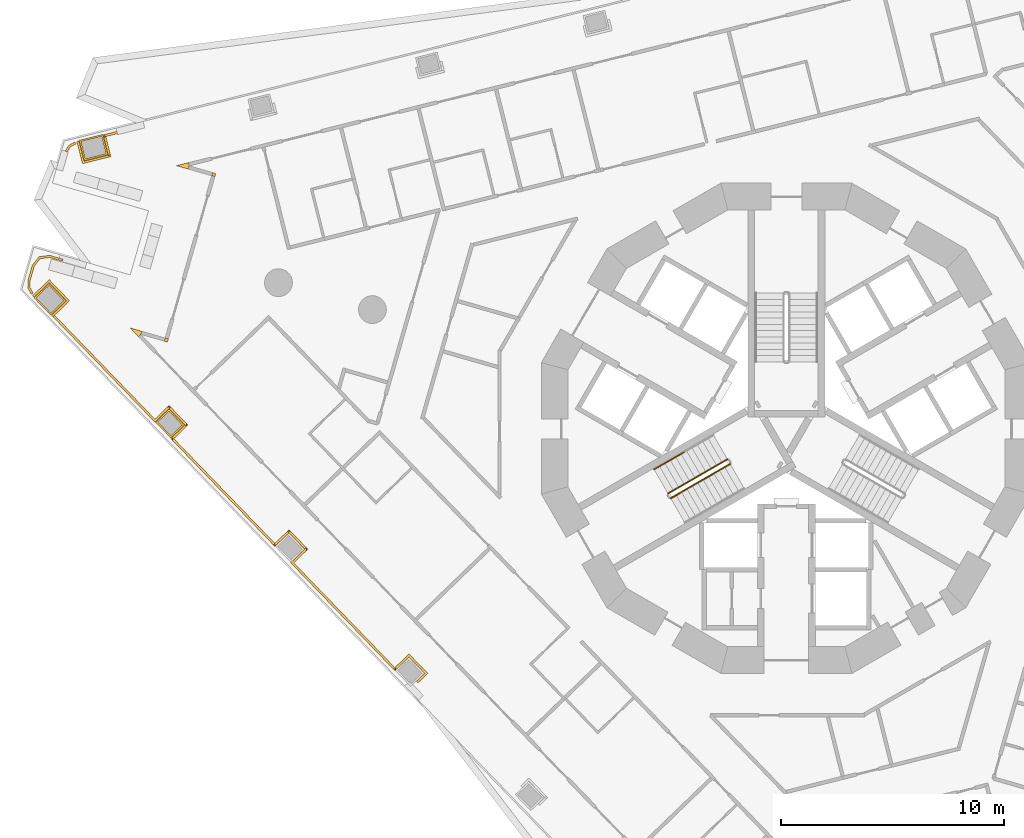
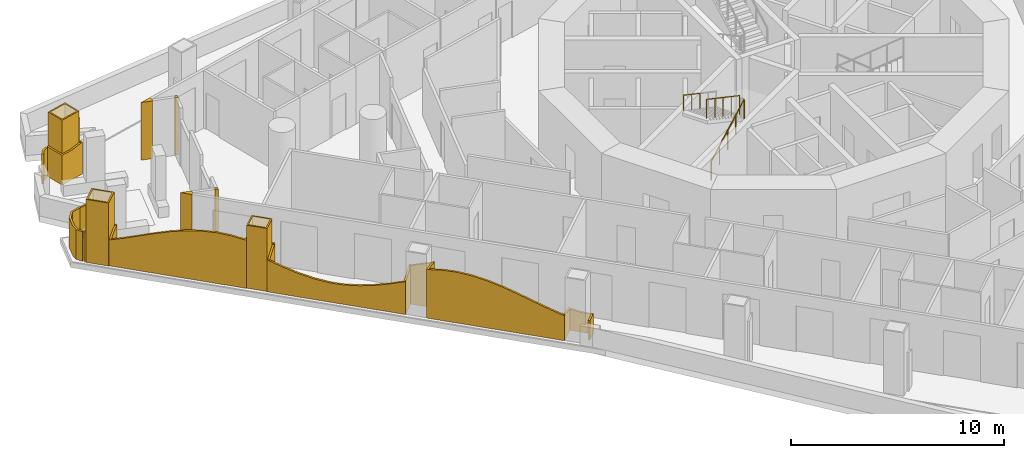
# One storey, part 15 of 19: 7 coverings, 7 railings.
"""IFC4 building model written with IfcOpenShell, lengths in metres."""

from ifc_helpers import new_model, si_unit, direction, frame, origin, origin_2d, place, context, subcontext, project, spatial, polyline, circle, outline, extrude, material, layer, layer_set, type_object, element, save


model = new_model("IFC4")

# Units and contexts
model_context = context("Model", 3, precision=1e-05, world=origin(), true_north=direction((0.0, 1.0)))
body_context = subcontext(model_context, "Body", "Model", "MODEL_VIEW")
ifc_project = project(units=[si_unit("LENGTHUNIT", "METRE"), si_unit("AREAUNIT", "SQUARE_METRE"), si_unit("VOLUMEUNIT", "CUBIC_METRE"), si_unit("PLANEANGLEUNIT", "RADIAN"), si_unit("MASSUNIT", "GRAM", prefix="KILO")], contexts=[model_context])

# Site, building, storey
site_placement = place(None, origin())
site = spatial("IfcSite", under=ifc_project, at=site_placement, CompositionType="ELEMENT")
building_placement = place(site_placement, origin())
building = spatial("IfcBuilding", under=site, at=building_placement, Name="Trine Commons Tower", CompositionType="ELEMENT")
storey_placement = place(building_placement, frame((0.0, 0.0, 87.300048828125)))
storey = spatial("IfcBuildingStorey", under=building, at=storey_placement, Name="L21", CompositionType="ELEMENT", Elevation=87.300048828125)

# Coverings
ifc_material_1 = material(Name="Aluminium-framed insulated wall panel", Category="aluminium")
ifc_layer_1 = layer(ifc_material_1, 0.14990234375)
ifc_layer_set_1 = layer_set([ifc_layer_1], Name="Aluminium-framed insulated wall panel")
covering_type_1 = type_object("IfcCoveringType", Name="Glazing corner post, aluminium", PredefinedType="CLADDING", material=ifc_layer_set_1)
covering_1_placement = place(storey_placement, origin())
element("IfcCovering", 1, at=covering_1_placement, inside=storey, type_object=covering_type_1, Name="Glazing corner post 3-01", PredefinedType="CLADDING", context=body_context, shape_type="SweptSolid", body=[
    extrude(outline(polyline([(50.897216796875, 66.611083984375), (51.005126953125, 66.71533203125), (51.04638671875, 66.859619140625), (50.50830078125, 67.013916015625), (50.897216796875, 66.611083984375)])), origin(), (0.0, 0.0, 1.0), 3.300048828125),
])
covering_2_placement = place(storey_placement, origin())
element("IfcCovering", 2, at=covering_2_placement, inside=storey, type_object=covering_type_1, Name="Glazing corner post 3-02", PredefinedType="CLADDING", context=body_context, shape_type="SweptSolid", body=[
    extrude(outline(polyline([(52.048828125, 66.416015625), (52.193115234375, 66.374755859375), (52.234375, 66.518798828125), (52.090087890625, 66.560302734375), (52.048828125, 66.416015625)])), origin(), (0.0, 0.0, 1.0), 3.300048828125),
])
covering_3_placement = place(storey_placement, origin())
element("IfcCovering", 3, at=covering_3_placement, inside=storey, type_object=covering_type_1, Name="Glazing corner post 3-03", PredefinedType="CLADDING", context=body_context, shape_type="SweptSolid", body=[
    extrude(outline(polyline([(54.32373046875, 73.805419921875), (54.364990234375, 73.949462890625), (54.220703125, 73.99072265625), (54.179443359375, 73.8466796875), (54.32373046875, 73.805419921875)])), origin(), (0.0, 0.0, 1.0), 3.300048828125),
])
covering_4_placement = place(storey_placement, origin())
element("IfcCovering", 4, at=covering_4_placement, inside=storey, type_object=covering_type_1, Name="Glazing corner post 3-04", PredefinedType="CLADDING", context=body_context, shape_type="SweptSolid", body=[
    extrude(outline(polyline([(53.1357421875, 74.14599609375), (53.17724609375, 74.2900390625), (53.140869140625, 74.435546875), (52.59765625, 74.30029296875), (53.1357421875, 74.14599609375)])), origin(), (0.0, 0.0, 1.0), 3.300048828125),
])
ifc_material_2 = material(Name="Limestone, honed", Category="masonry")
ifc_layer_2 = layer(ifc_material_2, 0.074951171875)
ifc_layer_set_2 = layer_set([ifc_layer_2], Name="Limestone, honed")
covering_type_2 = type_object("IfcCoveringType", Name="Limestone column cladding 75", PredefinedType="CLADDING", material=ifc_layer_set_2)
covering_5_placement = place(storey_placement, origin())
element("IfcCovering", 5, at=covering_5_placement, inside=storey, type_object=covering_type_2, Name="Limestone pier cladding 3-07", PredefinedType="CLADDING", context=body_context, shape_type="SweptSolid", body=[
    extrude(outline(polyline([(52.265380859375, 63.373291015625), (51.654052734375, 62.78271484375), (52.3486328125, 62.0634765625), (52.960205078125, 62.65380859375), (52.265380859375, 63.373291015625)]), holes=[polyline([(52.263671875, 63.26708984375), (51.760009765625, 62.781005859375), (52.3505859375, 62.16943359375), (52.85400390625, 62.65576171875), (52.263671875, 63.26708984375)])]), origin(), (0.0, 0.0, 1.0), 3.599853515625),
])
covering_6_placement = place(storey_placement, origin())
element("IfcCovering", 6, at=covering_6_placement, inside=storey, type_object=covering_type_2, Name="Limestone pier cladding 3-08", PredefinedType="CLADDING", context=body_context, shape_type="SweptSolid", body=[
    extrude(outline(polyline([(46.877685546875, 69.0244140625), (46.194580078125, 68.364501953125), (46.95849609375, 67.572998046875), (47.641845703125, 68.23291015625), (46.877685546875, 69.0244140625)]), holes=[polyline([(46.8759765625, 68.918212890625), (46.300537109375, 68.362548828125), (46.96044921875, 67.67919921875), (47.535888671875, 68.23486328125), (46.8759765625, 68.918212890625)])]), origin(), (0.0, 0.0, 1.0), 3.599853515625),
])
covering_7_placement = place(storey_placement, origin())
element("IfcCovering", 7, at=covering_7_placement, inside=storey, type_object=covering_type_2, Name="Limestone pier cladding 3-09", PredefinedType="CLADDING", context=body_context, shape_type="SweptSolid", body=[
    extrude(outline(polyline([(49.520751953125, 74.785400390625), (49.291015625, 75.70703125), (48.2236328125, 75.44091796875), (48.45361328125, 74.519287109375), (49.520751953125, 74.785400390625)]), holes=[polyline([(49.429931640625, 74.83984375), (49.236328125, 75.6162109375), (48.314453125, 75.38623046875), (48.508056640625, 74.610107421875), (49.429931640625, 74.83984375)])]), origin(), (0.0, 0.0, 1.0), 3.599853515625),
])

# Railings
ifc_material_3 = material(Name="Stainless steel balustrade", Category="steel")
railing_type_1 = type_object("IfcRailingType", Name="Stair guard, steel balustrade 1100", PredefinedType="GUARDRAIL", material=ifc_material_3)
railing_1_placement = place(storey_placement, frame((74.80517578125, 59.3564453125, 0.14990234375)))
element("IfcRailing", 8, at=railing_1_placement, inside=storey, type_object=railing_type_1, Name="L21 ST2A stair guard 1", PredefinedType="GUARDRAIL", context=body_context, shape_type="SweptSolid", body=[
    extrude(circle(Radius=0.02392578125, at=origin_2d()), frame((0.0, 0.0, 1.076171875), z_axis=(0.763379768245, 0.440728498818, 0.472239049384), x_axis=(-0.499992328818, 0.866029832698, 0.0)), (0.0, 0.0, 1.0), 3.494384765625),
    extrude(circle(Radius=0.02099609375, at=origin_2d()), origin(), (0.0, 0.0, 1.0), 1.052001953125),
    extrude(circle(Radius=0.02099609375, at=origin_2d()), frame((0.6669921875, 0.385009765625, 0.41259765625)), (0.0, 0.0, 1.0), 1.052001953125),
    extrude(circle(Radius=0.02099609375, at=origin_2d()), frame((1.333740234375, 0.77001953125, 0.8251953125)), (0.0, 0.0, 1.0), 1.052001953125),
    extrude(circle(Radius=0.02099609375, at=origin_2d()), frame((2.00048828125, 1.155029296875, 1.237548828125)), (0.0, 0.0, 1.0), 1.052001953125),
    extrude(circle(Radius=0.02099609375, at=origin_2d()), frame((2.66748046875, 1.5400390625, 1.650146484375)), (0.0, 0.0, 1.0), 1.052001953125),
])
railing_2_placement = place(storey_placement, frame((77.34765625, 61.113037109375, 1.949951171875)))
element("IfcRailing", 9, at=railing_2_placement, inside=storey, type_object=railing_type_1, Name="L21 ST2A stair guard 3", PredefinedType="GUARDRAIL", context=body_context, shape_type="SweptSolid", body=[
    extrude(circle(Radius=0.02392578125, at=origin_2d()), frame((0.0, 0.0, 1.076171875), z_axis=(-0.76340495495, -0.440743040072, 0.472184759798), x_axis=(0.499992328818, -0.866029832698, 0.0)), (0.0, 0.0, 1.0), 3.494140625),
    extrude(circle(Radius=0.02099609375, at=origin_2d()), origin(), (0.0, 0.0, 1.0), 1.052001953125),
    extrude(circle(Radius=0.02099609375, at=origin_2d()), frame((-0.6669921875, -0.385009765625, 0.41259765625)), (0.0, 0.0, 1.0), 1.052001953125),
    extrude(circle(Radius=0.02099609375, at=origin_2d()), frame((-1.333740234375, -0.77001953125, 0.824951171875)), (0.0, 0.0, 1.0), 1.052001953125),
    extrude(circle(Radius=0.02099609375, at=origin_2d()), frame((-2.00048828125, -1.155029296875, 1.2373046875)), (0.0, 0.0, 1.0), 1.052001953125),
    extrude(circle(Radius=0.02099609375, at=origin_2d()), frame((-2.66748046875, -1.5400390625, 1.64990234375)), (0.0, 0.0, 1.0), 1.052001953125),
])
ifc_material_4 = material(Name="Stainless steel handrail", Category="steel")
railing_type_2 = type_object("IfcRailingType", Name="Stair handrail, steel 900", PredefinedType="HANDRAIL", material=ifc_material_4)
railing_3_placement = place(storey_placement, frame((75.388916015625, 61.425537109375, 2.77490234375)))
element("IfcRailing", 10, at=railing_3_placement, inside=storey, type_object=railing_type_2, Name="L21 ST2A stair handrail 4", PredefinedType="HANDRAIL", context=body_context, shape_type="SweptSolid", body=[
    extrude(circle(Radius=0.02099609375, at=origin_2d()), frame((0.0, 0.0, 0.87890625), z_axis=(-0.76340495495, -0.440743040072, 0.472184759798), x_axis=(0.499992328818, -0.866029832698, 0.0)), (0.0, 0.0, 1.0), 1.7470703125),
    extrude(circle(Radius=0.01513671875, at=origin_2d()), origin(), (0.0, 0.0, 1.0), 0.85791015625),
    extrude(circle(Radius=0.01513671875, at=origin_2d()), frame((-0.6669921875, -0.385009765625, 0.41259765625)), (0.0, 0.0, 1.0), 0.85791015625),
    extrude(circle(Radius=0.01513671875, at=origin_2d()), frame((-1.333740234375, -0.77001953125, 0.824951171875)), (0.0, 0.0, 1.0), 0.85791015625),
])
ifc_material_5 = material(Name="White powder-coated aluminium", Category="aluminium")
ifc_layer_3 = layer(ifc_material_5, 0.10009765625)
ifc_layer_set_3 = layer_set([ifc_layer_3], Name="White powder-coated aluminium")
railing_type_3 = type_object("IfcRailingType", Name="White balustrade band 100", PredefinedType="GUARDRAIL", material=ifc_layer_set_3)
railing_4_placement = place(storey_placement, origin())
element("IfcRailing", 11, at=railing_4_placement, inside=storey, type_object=railing_type_3, Name="Guard band L21 4", PredefinedType="GUARDRAIL", context=body_context, shape_type="SweptSolid", body=[
    extrude(outline(polyline([(0.0, 0.0), (0.60986328125, 0.0), (0.60986328125, 1.1025390625), (0.4296875, 1.099853515625), (0.1162109375, 1.107666015625), (0.0, 1.11767578125), (0.0, 0.0)])), frame((63.386474609375, 51.1396484375, 0.0), z_axis=(0.694587369162, -0.719408358723, 0.0), x_axis=(0.719408358723, 0.694587369162, 0.0)), (0.0, 0.0, 1.0), 0.10009765625),
    extrude(outline(polyline([(0.0, 0.0), (1.22216796875, 0.0), (1.22216796875, 1.229248046875), (0.611083984375, 1.136962890625), (0.0, 1.100341796875), (0.0, 0.0)])), frame((63.822265625, 51.42041015625, 0.0), z_axis=(0.719384249144, 0.694612339426, 0.0), x_axis=(-0.694612339426, 0.719384249144, 0.0)), (0.0, 0.0, 1.0), 0.10009765625),
    extrude(outline(polyline([(0.0, 0.0), (0.98681640625, 0.0), (0.98681640625, 1.44921875), (0.493408203125, 1.315185546875), (0.0, 1.210205078125), (0.0, 0.0)])), frame((63.1162109375, 52.296875, 0.0), z_axis=(-0.694629830443, 0.719367360017, 0.0), x_axis=(-0.719367360017, -0.694629830443, 0.0)), (0.0, 0.0, 1.0), 0.10009765625),
    extrude(outline(polyline([(0.0, 0.0), (6.73876953125, 0.0), (6.73876953125, 2.770751953125), (5.989990234375, 2.876220703125), (5.439453125, 2.89990234375), (5.2412109375, 2.89697265625), (4.49267578125, 2.83056640625), (3.743896484375, 2.68359375), (2.9951171875, 2.470458984375), (2.246337890625, 2.211669921875), (1.49755859375, 1.93212890625), (0.748779296875, 1.659423828125), (0.0, 1.419677734375), (0.0, 0.0)])), frame((62.4072265625, 51.611572265625, 0.0), z_axis=(0.719335285697, 0.694663045477, 0.0), x_axis=(-0.694663045477, 0.719335285697, 0.0)), (0.0, 0.0, 1.0), 0.10009765625),
    extrude(outline(polyline([(0.0, 0.0), (0.986328125, 0.0), (0.986572265625, 2.55078125), (0.4931640625, 2.6845703125), (0.0, 2.78955078125), (0.0, 0.0)])), frame((57.726318359375, 56.4580078125, 0.0), z_axis=(0.694749093662, -0.719252178903, 0.0), x_axis=(0.719252178903, 0.694749093662, 0.0)), (0.0, 0.0, 1.0), 0.10009765625),
    extrude(outline(polyline([(0.0, 0.0), (1.221435546875, 0.0), (1.2216796875, 2.170654296875), (0.61083984375, 2.38818359375), (0.0, 2.58056640625), (0.0, 0.0)])), frame((58.43310546875, 57.0009765625, 0.0), z_axis=(0.719391127949, 0.694605215233, 0.0), x_axis=(-0.694605215233, 0.719391127949, 0.0)), (0.0, 0.0, 1.0), 0.10009765625),
    extrude(outline(polyline([(0.0, 0.0), (0.98681640625, 0.0), (0.98681640625, 1.83984375), (0.493408203125, 2.024658203125), (0.0, 2.2080078125), (0.0, 0.0)])), frame((57.72705078125, 57.876953125, 0.0), z_axis=(-0.694629830443, 0.719367360017, 0.0), x_axis=(-0.719367360017, -0.694629830443, 0.0)), (0.0, 0.0, 1.0), 0.10009765625),
    extrude(outline(polyline([(0.0, 0.0), (6.73974609375, 0.0), (6.73974609375, 1.8291015625), (5.990966796875, 1.5654296875), (5.2421875, 1.34423828125), (4.4931640625, 1.186279296875), (3.744384765625, 1.107421875), (3.435546875, 1.099853515625), (2.99560546875, 1.115234375), (2.24658203125, 1.208740234375), (1.497802734375, 1.37890625), (0.748779296875, 1.609375), (0.0, 1.8779296875), (0.0, 0.0)])), frame((57.018798828125, 57.191650390625, 0.0), z_axis=(0.719333423183, 0.694664974136, 0.0), x_axis=(-0.694664974136, 0.719333423183, 0.0)), (0.0, 0.0, 1.0), 0.10009765625),
    extrude(outline(polyline([(0.0, 0.0), (0.986572265625, 0.0), (0.98681640625, 2.159912109375), (0.493408203125, 1.975341796875), (0.0, 1.791748046875), (0.0, 0.0)])), frame((52.33740234375, 62.03857421875, 0.0), z_axis=(0.694625426755, -0.719371612246, 0.0), x_axis=(0.719371612246, 0.694625426755, 0.0)), (0.0, 0.0, 1.0), 0.10009765625),
    extrude(outline(polyline([(0.0, 0.0), (1.220947265625, 0.0), (1.22119140625, 2.541748046875), (0.610595703125, 2.343017578125), (0.0, 2.1220703125), (0.0, 0.0)])), frame((53.044189453125, 62.58154296875, 0.0), z_axis=(0.719198163781, 0.694805009491, 0.0), x_axis=(-0.694805009491, 0.719198163781, 0.0)), (0.0, 0.0, 1.0), 0.10009765625),
    extrude(outline(polyline([(0.0, 0.0), (0.986328125, 0.0), (0.986328125, 2.764892578125), (0.4931640625, 2.651611328125), (0.0, 2.510986328125), (0.0, 0.0)])), frame((52.338134765625, 63.457275390625, 0.0), z_axis=(-0.694621019957, 0.719375867425, 0.0), x_axis=(-0.719375867425, -0.694621019957, 0.0)), (0.0, 0.0, 1.0), 0.10009765625),
    extrude(outline(polyline([(0.0, 0.0), (6.689453125, 0.0), (6.689208984375, 1.47314453125), (5.946044921875, 1.72119140625), (5.202880859375, 1.995849609375), (4.459716796875, 2.27099609375), (3.71630859375, 2.520263671875), (2.972900390625, 2.7197265625), (2.229736328125, 2.850341796875), (1.486572265625, 2.899658203125), (1.430908203125, 2.89990234375), (0.743408203125, 2.863037109375), (0.0, 2.744140625), (0.0, 0.0)])), frame((51.6298828125, 62.772216796875, 0.0), z_axis=(0.719317186814, 0.694681786687, 0.0), x_axis=(-0.694681786687, 0.719317186814, 0.0)), (0.0, 0.0, 1.0), 0.10009765625),
    extrude(outline(polyline([(0.0, 0.0), (1.036865234375, 0.0), (1.037109375, 1.699951171875), (0.5185546875, 1.6494140625), (0.0, 1.504638671875), (0.0, 0.0)])), frame((46.98291015625, 67.58251953125, 0.0), z_axis=(0.694636534855, -0.719360886096, 0.0), x_axis=(0.719360886096, 0.694636534855, 0.0)), (0.0, 0.0, 1.0), 0.10009765625),
    extrude(outline(polyline([(0.0, 0.0), (1.321533203125, 0.0), (1.321533203125, 1.699951171875), (0.660888671875, 1.699951171875), (0.0, 1.699951171875), (0.0, 0.0)])), frame((47.725830078125, 68.16064453125, 0.0), z_axis=(0.719375994491, 0.694620888363, 0.0), x_axis=(-0.694620888363, 0.719375994491, 0.0)), (0.0, 0.0, 1.0), 0.10009765625),
    extrude(outline(polyline([(0.0, 0.0), (1.03662109375, 0.0), (1.036865234375, 1.699951171875), (0.518310546875, 1.699951171875), (0.210693359375, 1.699951171875), (0.0, 1.699951171875), (0.0, 0.0)])), frame((46.9501953125, 69.1083984375, 0.0), z_axis=(-0.694754208528, 0.719247238252, 0.0), x_axis=(-0.719247238252, -0.694754208528, 0.0)), (0.0, 0.0, 1.0), 0.10009765625),
])
railing_5_placement = place(storey_placement, origin())
element("IfcRailing", 12, at=railing_5_placement, inside=storey, type_object=railing_type_3, Name="Guard band L21 5", PredefinedType="GUARDRAIL", context=body_context, shape_type="SweptSolid", body=[
    extrude(outline(polyline([(0.0, 0.0), (0.331787109375, 0.0), (0.33203125, 1.699951171875), (0.0, 1.699951171875), (0.0, 0.0)])), frame((46.07763671875, 68.521240234375, 0.0), z_axis=(0.874642620276, 0.484768281549, 0.0), x_axis=(-0.484768281549, 0.874642620276, 0.0)), (0.0, 0.0, 1.0), 0.10009765625),
    extrude(outline(polyline([(0.0, 0.0), (0.332275390625, 0.0), (0.332275390625, 1.699951171875), (0.0, 1.699951171875), (0.0, 0.0)])), frame((45.9169921875, 68.809814453125, 0.0), z_axis=(0.999857236753, -0.016896926117, 0.0), x_axis=(0.016896926117, 0.999857236753, 0.0)), (0.0, 0.0, 1.0), 0.10009765625),
    extrude(outline(polyline([(0.0, 0.0), (0.719970703125, 0.0), (0.719970703125, 1.699951171875), (0.0, 1.699951171875), (0.0, 0.0)])), frame((45.922607421875, 69.14111328125, 0.0), z_axis=(0.961254793179, -0.275661427462, 0.0), x_axis=(0.275661427462, 0.961254793179, 0.0)), (0.0, 0.0, 1.0), 0.10009765625),
    extrude(outline(polyline([(0.0, 0.0), (0.491455078125, 0.0), (0.491455078125, 1.699951171875), (0.0, 1.699951171875), (0.0, 0.0)])), frame((46.12060546875, 69.83203125, 0.0), z_axis=(0.782562542096, -0.622571977934, 0.0), x_axis=(0.622571977934, 0.782562542096, 0.0)), (0.0, 0.0, 1.0), 0.10009765625),
    extrude(outline(polyline([(0.0, 0.0), (0.491455078125, 0.0), (0.49169921875, 1.774658203125), (0.0, 1.699951171875), (0.0, 0.0)])), frame((46.42529296875, 70.2158203125, 0.0), z_axis=(0.113266370988, -0.993564657787, 0.0), x_axis=(0.993564657787, 0.113266370988, 0.0)), (0.0, 0.0, 1.0), 0.10009765625),
    extrude(outline(polyline([(0.0, 0.0), (0.610595703125, 0.0), (0.6103515625, 1.99365234375), (0.0, 1.766845703125), (0.0, 0.0)])), frame((46.91162109375, 70.271484375, 0.0), z_axis=(-0.275513238012, -0.961297277475, 0.0), x_axis=(0.961297277475, -0.275513238012, 0.0)), (0.0, 0.0, 1.0), 0.10009765625),
])
railing_6_placement = place(storey_placement, origin())
element("IfcRailing", 13, at=railing_6_placement, inside=storey, type_object=railing_type_3, Name="Guard band L21 6", PredefinedType="GUARDRAIL", context=body_context, shape_type="SweptSolid", body=[
    extrude(outline(polyline([(0.0, 0.0), (0.29443359375, 0.0), (0.29443359375, 1.699951171875), (0.0, 1.699951171875), (0.0, 0.0)])), frame((47.600341796875, 74.957763671875, 0.0), z_axis=(0.857273384154, -0.514861481199, 0.0), x_axis=(0.514861481199, 0.857273384154, 0.0)), (0.0, 0.0, 1.0), 0.10009765625),
    extrude(outline(polyline([(0.0, 0.0), (0.332275390625, 0.0), (0.332275390625, 1.699951171875), (0.0, 1.699951171875), (0.0, 0.0)])), frame((47.7509765625, 75.208984375, 0.0), z_axis=(0.484145162931, -0.874987692034, 0.0), x_axis=(0.874987692034, 0.484145162931, 0.0)), (0.0, 0.0, 1.0), 0.10009765625),
])
railing_7_placement = place(storey_placement, origin())
element("IfcRailing", 14, at=railing_7_placement, inside=storey, type_object=railing_type_3, Name="Guard band L21 7", PredefinedType="GUARDRAIL", context=body_context, shape_type="SweptSolid", body=[
    extrude(outline(polyline([(0.0, 0.0), (1.03662109375, 0.0), (1.03662109375, 1.699951171875), (0.518310546875, 1.699951171875), (0.0, 1.699951171875), (0.0, 0.0)])), frame((48.219970703125, 75.414794921875, 0.0), z_axis=(-0.970308515852, -0.241870593636, 0.0), x_axis=(0.241870593636, -0.970308515852, 0.0)), (0.0, 0.0, 1.0), 0.10009765625),
    extrude(outline(polyline([(0.0, 0.0), (1.322021484375, 0.0), (1.322021484375, 1.83203125), (0.660888671875, 1.699951171875), (0.0, 1.699951171875), (0.0, 0.0)])), frame((48.348388671875, 74.482666015625, 0.0), z_axis=(0.241927228685, -0.970294396573, 0.0), x_axis=(0.970294396573, 0.241927228685, 0.0)), (0.0, 0.0, 1.0), 0.10009765625),
    extrude(outline(polyline([(0.0, 0.0), (1.036865234375, 0.0), (1.037109375, 2.18115234375), (0.5185546875, 1.987548828125), (0.0, 1.79443359375), (0.0, 0.0)])), frame((49.55712890625, 74.68017578125, 0.0), z_axis=(0.970322288895, 0.241815333826, 0.0), x_axis=(-0.241815333826, 0.970322288895, 0.0)), (0.0, 0.0, 1.0), 0.10009765625),
    extrude(outline(polyline([(0.0, 0.0), (0.8154296875, 0.0), (0.8154296875, 2.4296875), (0.743408203125, 2.407958984375), (0.0, 2.143310546875), (0.0, 0.0)])), frame((49.3056640625, 75.68505859375, 0.0), z_axis=(0.2419015854, -0.970300789952, 0.0), x_axis=(0.970300789952, 0.2419015854, 0.0)), (0.0, 0.0, 1.0), 0.10009765625),
])

save(model, "model.ifc")
